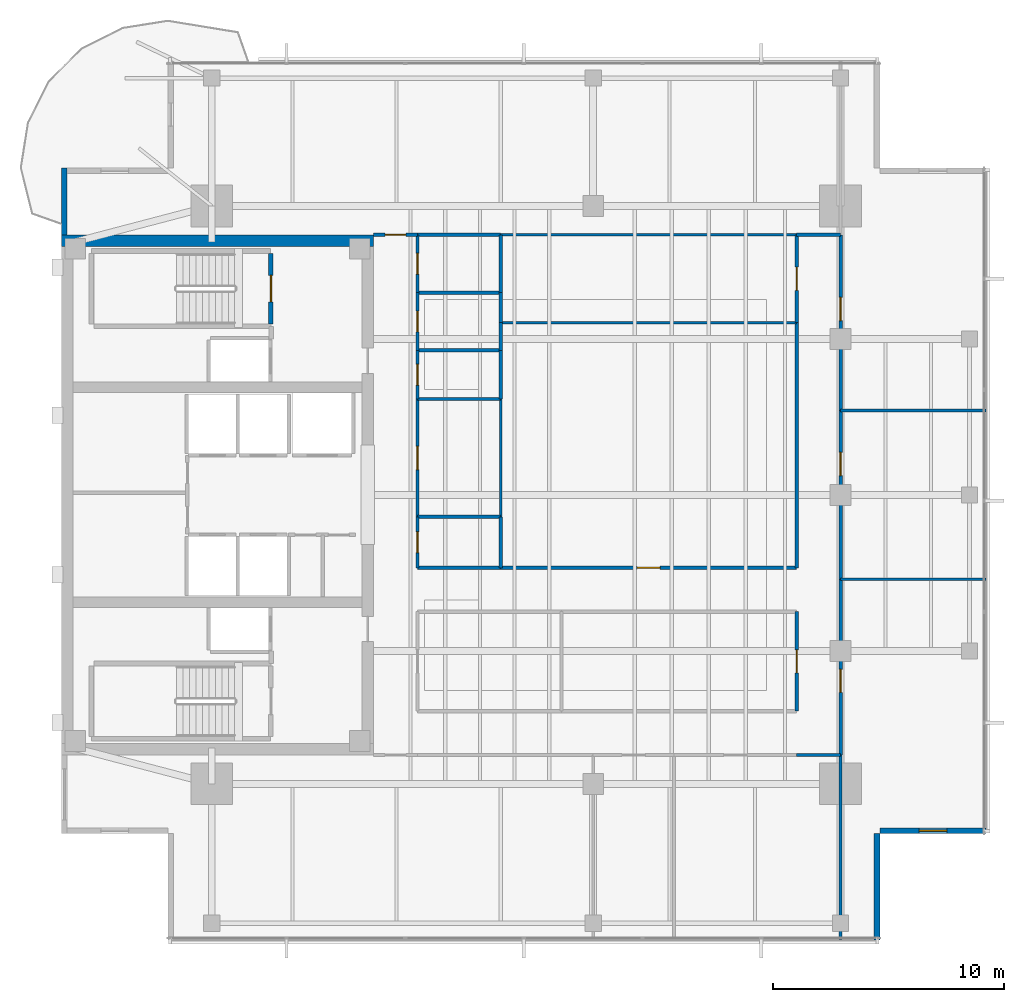
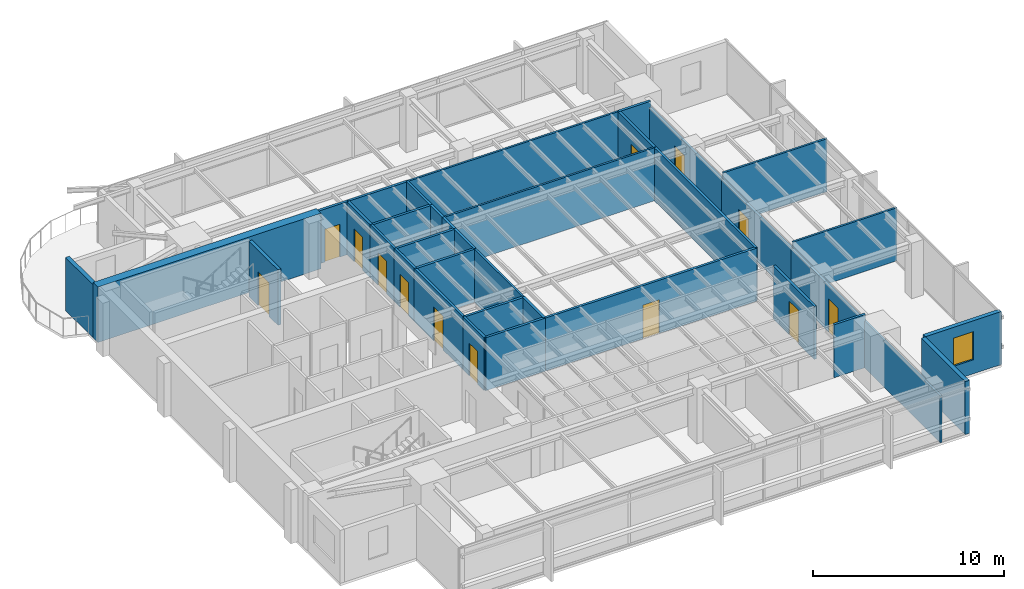
# One storey, part 9 of 14: 37 walls, 13 doors, 1 window, 14 openings.
"""IFC4 building model written with IfcOpenShell, lengths in metres."""

from ifc_helpers import new_model, si_unit, direction, frame, frame_2d, origin, place, context, subcontext, project, spatial, rectangle, extrude, material, layer, layer_set, type_object, element, fill, save


model = new_model("IFC4")

# Units and contexts
model_context = context("Model", 3, precision=1e-05, world=origin(), true_north=direction((0.0, 1.0)))
body_context = subcontext(model_context, "Body", "Model", "MODEL_VIEW")
ifc_project = project(units=[si_unit("LENGTHUNIT", "METRE"), si_unit("AREAUNIT", "SQUARE_METRE"), si_unit("VOLUMEUNIT", "CUBIC_METRE"), si_unit("PLANEANGLEUNIT", "RADIAN"), si_unit("MASSUNIT", "GRAM", prefix="KILO")], contexts=[model_context])

# Site, building, storey
site_placement = place(None, origin())
site = spatial("IfcSite", under=ifc_project, at=site_placement, CompositionType="ELEMENT")
building_placement = place(site_placement, origin())
building = spatial("IfcBuilding", under=site, at=building_placement, Name="Kinhvarn Gate Tower", CompositionType="ELEMENT")
storey_placement = place(building_placement, frame((0.0, 0.0, 270.550048828125)))
storey = spatial("IfcBuildingStorey", under=building, at=storey_placement, Name="L72", CompositionType="ELEMENT", Elevation=270.550048828125)

# Walls
ifc_material_1 = material(Name="Concrete C50/60", Category="concrete")
ifc_layer_1 = layer(ifc_material_1, 0.5)
ifc_layer_set_1 = layer_set([ifc_layer_1], Name="Concrete C50/60")
wall_type_1 = type_object("IfcWallType", Name="WL-CORE-500", PredefinedType="SHEAR", material=ifc_layer_set_1)
wall_1_placement = place(storey_placement, frame((4.5, 36.25, 0.0), z_axis=(0.0, 0.0, 1.0), x_axis=(1.0, 0.0, 0.0)))
element("IfcWall", 1, at=wall_1_placement, inside=storey, type_object=wall_type_1, Name="Core North Shear Wall L72 500 mm", PredefinedType="SHEAR", context=body_context, shape_type="SweptSolid", body=[
    extrude(rectangle(XDim=13.5, YDim=0.5, at=frame_2d((6.75, 0.0))), origin(), (0.0, 0.0, 1.0), 3.550048828125),
])
ifc_material_2 = material(Name="Fired architectural terracotta", Category="masonry")
ifc_layer_2 = layer(ifc_material_2, 0.25)
ifc_layer_set_2 = layer_set([ifc_layer_2], Name="Fired architectural terracotta")
wall_type_2 = type_object("IfcWallType", Name="WL-EXT-250", PredefinedType="SOLIDWALL", material=ifc_layer_set_2)
wall_2_placement = place(storey_placement, frame((4.625, 39.39990234375, 0.0), z_axis=(0.0, 0.0, 1.0), x_axis=(0.0, -1.0, 0.0)))
element("IfcWall", 2, at=wall_2_placement, inside=storey, type_object=wall_type_2, Name="Exterior Solidwall Wall EW-250 (L72 West-North)", PredefinedType="SOLIDWALL", context=body_context, shape_type="SweptSolid", body=[
    extrude(rectangle(XDim=2.89990234375, YDim=0.25, at=frame_2d((1.449951171875, 0.0))), origin(), (0.0, 0.0, 1.0), 3.389892578125),
])
wall_3_placement = place(storey_placement, frame((39.77490234375, 6.0, 0.0), z_axis=(0.0, 0.0, 1.0), x_axis=(0.0, 1.0, 0.0)))
element("IfcWall", 3, at=wall_3_placement, inside=storey, type_object=wall_type_2, Name="Exterior Solidwall Wall EW-250 (L72 SE-Notch-1)", PredefinedType="SOLIDWALL", context=body_context, shape_type="SweptSolid", body=[
    extrude(rectangle(XDim=4.60009765625, YDim=0.25, at=frame_2d((2.300048828125, 0.0))), origin(), (0.0, 0.0, 1.0), 3.389892578125),
])

# Wall, opening, window
wall_4_placement = place(storey_placement, frame((39.89990234375, 10.72509765625, 0.0), z_axis=(0.0, 0.0, 1.0), x_axis=(1.0, 0.0, 0.0)))
wall_4 = element("IfcWall", 4, at=wall_4_placement, inside=storey, type_object=wall_type_2, Name="Exterior Solidwall Wall EW-250 (L72 SE-Notch-2)", PredefinedType="SOLIDWALL", context=body_context, shape_type="SweptSolid", body=[
    extrude(rectangle(XDim=4.60009765625, YDim=0.25, at=frame_2d((2.300048828125, 0.0))), origin(), (0.0, 0.0, 1.0), 3.389892578125),
])
opening_1_placement = place(wall_4_placement, frame((1.699951171875, 0.0, 0.89990234375)))
opening_1 = element("IfcOpeningElement", 5, at=opening_1_placement, cuts=wall_4, Name="Opening WN-02", PredefinedType="OPENING", context=body_context, shape_type="SweptSolid", body=[
    extrude(rectangle(XDim=1.199951171875, YDim=1.800048828125, at=frame_2d((0.60009765625, 0.89990234375))), frame((0.0, 0.135009765625, 0.0), z_axis=(0.0, -1.0, 0.0), x_axis=(1.0, 0.0, 0.0)), (0.0, 0.0, 1.0), 0.27001953125),
])
ifc_material_3 = material(Name="Clear low-e double glazing", Category="glass")
window_type = type_object("IfcWindowType", Name="WIN-NTC-1200", PartitioningType="SINGLE_PANEL", PredefinedType="WINDOW", material=ifc_material_3)
window_placement = place(opening_1_placement, origin())
window = element("IfcWindow", 6, at=window_placement, inside=storey, type_object=window_type, Name="Recessed Corner Notch Punched Window 1200x1800 mm (L72)", OverallHeight=1.800048828125, OverallWidth=1.199951171875, PartitioningType="SINGLE_PANEL", PredefinedType="WINDOW", context=body_context, shape_type="SweptSolid", body=[
    extrude(rectangle(XDim=1.199951171875, YDim=1.800048828125, at=frame_2d((0.60009765625, 0.89990234375))), frame((0.0, 0.030029296875, 0.0), z_axis=(0.0, -1.0, 0.0), x_axis=(1.0, 0.0, 0.0)), (0.0, 0.0, 1.0), 0.06005859375),
])
fill(opening_1, window)

# Walls
ifc_material_4 = material(Name="Gypsum acoustic partition board")
ifc_layer_3 = layer(ifc_material_4, 0.14990234375)
ifc_layer_set_3 = layer_set([ifc_layer_3], Name="Gypsum acoustic partition board")
wall_type_3 = type_object("IfcWallType", Name="WL-PLM-150", PredefinedType="PLUMBINGWALL", material=ifc_layer_set_3)
wall_5_placement = place(storey_placement, frame((19.89990234375, 34.0, 0.0), z_axis=(0.0, 0.0, 1.0), x_axis=(1.0, 0.0, 0.0)))
element("IfcWall", 7, at=wall_5_placement, inside=storey, type_object=wall_type_3, Name="Interior Partition PLW-150 (L72)", PredefinedType="PLUMBINGWALL", context=body_context, shape_type="SweptSolid", body=[
    extrude(rectangle(XDim=3.60009765625, YDim=0.14990234375, at=frame_2d((1.800048828125, 0.0))), origin(), (0.0, 0.0, 1.0), 3.389892578125),
])
wall_6_placement = place(storey_placement, frame((23.5, 34.0, 0.0), z_axis=(0.0, 0.0, 1.0), x_axis=(0.0, 1.0, 0.0)))
element("IfcWall", 8, at=wall_6_placement, inside=storey, type_object=wall_type_3, Name="Interior Partition PLW-150 (L72)", PredefinedType="PLUMBINGWALL", context=body_context, shape_type="SweptSolid", body=[
    extrude(rectangle(XDim=2.5, YDim=0.14990234375, at=frame_2d((1.25, 0.0))), origin(), (0.0, 0.0, 1.0), 3.389892578125),
])
for number, where, z_axis, x_axis, name in (
    (9, (19.89990234375, 36.5, 0.0), (0.0, 0.0, 1.0), (1.0, 0.0, 0.0), "Interior Partition PLW-150 (L72)"),
    (10, (19.89990234375, 31.5, 0.0), (0.0, 0.0, 1.0), (1.0, 0.0, 0.0), "Interior Partition PLW-150 (L72)"),
):
    element("IfcWall", number, at=place(storey_placement, frame(where, z_axis=z_axis, x_axis=x_axis)), inside=storey, type_object=wall_type_3, Name=name, PredefinedType="PLUMBINGWALL", context=body_context, shape_type="SweptSolid", body=[
        extrude(rectangle(XDim=3.60009765625, YDim=0.14990234375, at=frame_2d((1.800048828125, 0.0))), origin(), (0.0, 0.0, 1.0), 3.389892578125),
    ])
wall_7_placement = place(storey_placement, frame((23.5, 32.699951171875, 0.0), z_axis=(0.0, 0.0, 1.0), x_axis=(0.0, 1.0, 0.0)))
element("IfcWall", 11, at=wall_7_placement, inside=storey, type_object=wall_type_3, Name="Interior Partition PLW-150 (L72)", PredefinedType="PLUMBINGWALL", context=body_context, shape_type="SweptSolid", body=[
    extrude(rectangle(XDim=1.300048828125, YDim=0.14990234375, at=frame_2d((0.64990234375, 0.0))), origin(), (0.0, 0.0, 1.0), 3.389892578125),
])
wall_8_placement = place(storey_placement, frame((23.5, 31.5, 0.0), z_axis=(0.0, 0.0, 1.0), x_axis=(0.0, 1.0, 0.0)))
element("IfcWall", 12, at=wall_8_placement, inside=storey, type_object=wall_type_3, Name="Interior Partition PLW-150 (L72)", PredefinedType="PLUMBINGWALL", context=body_context, shape_type="SweptSolid", body=[
    extrude(rectangle(XDim=1.199951171875, YDim=0.14990234375, at=frame_2d((0.60009765625, 0.0))), origin(), (0.0, 0.0, 1.0), 3.389892578125),
])
wall_9_placement = place(storey_placement, frame((19.89990234375, 29.39990234375, 0.0), z_axis=(0.0, 0.0, 1.0), x_axis=(1.0, 0.0, 0.0)))
element("IfcWall", 13, at=wall_9_placement, inside=storey, type_object=wall_type_3, Name="Interior Partition PLW-150 (L72)", PredefinedType="PLUMBINGWALL", context=body_context, shape_type="SweptSolid", body=[
    extrude(rectangle(XDim=3.60009765625, YDim=0.14990234375, at=frame_2d((1.800048828125, 0.0))), origin(), (0.0, 0.0, 1.0), 3.389892578125),
])
wall_10_placement = place(storey_placement, frame((23.5, 29.39990234375, 0.0), z_axis=(0.0, 0.0, 1.0), x_axis=(0.0, 1.0, 0.0)))
element("IfcWall", 14, at=wall_10_placement, inside=storey, type_object=wall_type_3, Name="Interior Partition PLW-150 (L72)", PredefinedType="PLUMBINGWALL", context=body_context, shape_type="SweptSolid", body=[
    extrude(rectangle(XDim=2.10009765625, YDim=0.14990234375, at=frame_2d((1.050048828125, 0.0))), origin(), (0.0, 0.0, 1.0), 3.389892578125),
])
wall_11_placement = place(storey_placement, frame((19.89990234375, 24.300048828125, 0.0), z_axis=(0.0, 0.0, 1.0), x_axis=(1.0, 0.0, 0.0)))
element("IfcWall", 15, at=wall_11_placement, inside=storey, type_object=wall_type_3, Name="Interior Partition PLW-150 (L72)", PredefinedType="PLUMBINGWALL", context=body_context, shape_type="SweptSolid", body=[
    extrude(rectangle(XDim=3.60009765625, YDim=0.14990234375, at=frame_2d((1.800048828125, 0.0))), origin(), (0.0, 0.0, 1.0), 3.389892578125),
])
wall_12_placement = place(storey_placement, frame((23.5, 22.10009765625, 0.0), z_axis=(0.0, 0.0, 1.0), x_axis=(0.0, 1.0, 0.0)))
element("IfcWall", 16, at=wall_12_placement, inside=storey, type_object=wall_type_3, Name="Interior Partition PLW-150 (L72)", PredefinedType="PLUMBINGWALL", context=body_context, shape_type="SweptSolid", body=[
    extrude(rectangle(XDim=2.199951171875, YDim=0.14990234375, at=frame_2d((1.10009765625, 0.0))), origin(), (0.0, 0.0, 1.0), 3.389892578125),
])

# Wall, opening, door
ifc_layer_4 = layer(ifc_material_4, 0.14990234375)
ifc_layer_set_4 = layer_set([ifc_layer_4], Name="Gypsum acoustic partition board")
wall_type_4 = type_object("IfcWallType", Name="WL-PLM-150F", PredefinedType="PLUMBINGWALL", material=ifc_layer_set_4)
wall_13_placement = place(storey_placement, frame((19.89990234375, 34.0, 0.0), z_axis=(0.0, 0.0, 1.0), x_axis=(0.0, 1.0, 0.0)))
wall_13 = element("IfcWall", 17, at=wall_13_placement, inside=storey, type_object=wall_type_4, Name="Interior Partition PLW-150F (L72)", PredefinedType="PLUMBINGWALL", context=body_context, shape_type="SweptSolid", body=[
    extrude(rectangle(XDim=2.5, YDim=0.14990234375, at=frame_2d((1.25, 0.0))), origin(), (0.0, 0.0, 1.0), 3.389892578125),
])
opening_2_placement = place(wall_13_placement, frame((0.800048828125, 0.0, 0.0)))
opening_2 = element("IfcOpeningElement", 18, at=opening_2_placement, cuts=wall_13, Name="Opening FD-04", PredefinedType="OPENING", context=body_context, shape_type="SweptSolid", body=[
    extrude(rectangle(XDim=0.89990234375, YDim=2.10009765625, at=frame_2d((0.449951171875, 1.050048828125))), frame((0.0, 0.0849609375, 0.0), z_axis=(0.0, -1.0, 0.0), x_axis=(1.0, 0.0, 0.0)), (0.0, 0.0, 1.0), 0.169921875),
])
ifc_material_5 = material(Name="Anodised aluminium AW-6063", Category="aluminium")
door_type_1 = type_object("IfcDoorType", Name="DR-FD-900", OperationType="NOTDEFINED", PredefinedType="DOOR", material=ifc_material_5)
door_1_placement = place(opening_2_placement, origin())
door_1 = element("IfcDoor", 19, at=door_1_placement, inside=storey, type_object=door_type_1, Name="Rated Riser & Service Closet Fire Door 900x2100 mm (L72)", OperationType="SINGLE_SWING_LEFT", OverallHeight=2.10009765625, OverallWidth=0.89990234375, PredefinedType="DOOR", context=body_context, shape_type="SweptSolid", body=[
    extrude(rectangle(XDim=0.89990234375, YDim=2.10009765625, at=frame_2d((0.449951171875, 1.050048828125))), frame((0.0, 0.02490234375, 0.0), z_axis=(0.0, -1.0, 0.0), x_axis=(1.0, 0.0, 0.0)), (0.0, 0.0, 1.0), 0.050048828125),
])
fill(opening_2, door_1)

wall_14_placement = place(storey_placement, frame((19.89990234375, 31.5, 0.0), z_axis=(0.0, 0.0, 1.0), x_axis=(0.0, 1.0, 0.0)))
wall_14 = element("IfcWall", 20, at=wall_14_placement, inside=storey, type_object=wall_type_4, Name="Interior Partition PLW-150F (L72)", PredefinedType="PLUMBINGWALL", context=body_context, shape_type="SweptSolid", body=[
    extrude(rectangle(XDim=2.5, YDim=0.14990234375, at=frame_2d((1.25, 0.0))), origin(), (0.0, 0.0, 1.0), 3.389892578125),
])
opening_3_placement = place(wall_14_placement, frame((0.800048828125, 0.0, 0.0)))
opening_3 = element("IfcOpeningElement", 21, at=opening_3_placement, cuts=wall_14, Name="Opening FD-04", PredefinedType="OPENING", context=body_context, shape_type="SweptSolid", body=[
    extrude(rectangle(XDim=0.89990234375, YDim=2.10009765625, at=frame_2d((0.449951171875, 1.050048828125))), frame((0.0, 0.0849609375, 0.0), z_axis=(0.0, -1.0, 0.0), x_axis=(1.0, 0.0, 0.0)), (0.0, 0.0, 1.0), 0.169921875),
])
door_2_placement = place(opening_3_placement, origin())
door_2 = element("IfcDoor", 22, at=door_2_placement, inside=storey, type_object=door_type_1, Name="Rated Riser & Service Closet Fire Door 900x2100 mm (L72)", OperationType="SINGLE_SWING_RIGHT", OverallHeight=2.10009765625, OverallWidth=0.89990234375, PredefinedType="DOOR", context=body_context, shape_type="SweptSolid", body=[
    extrude(rectangle(XDim=0.89990234375, YDim=2.10009765625, at=frame_2d((0.449951171875, 1.050048828125))), frame((0.0, 0.02490234375, 0.0), z_axis=(0.0, -1.0, 0.0), x_axis=(1.0, 0.0, 0.0)), (0.0, 0.0, 1.0), 0.050048828125),
])
fill(opening_3, door_2)

wall_15_placement = place(storey_placement, frame((19.89990234375, 29.39990234375, 0.0), z_axis=(0.0, 0.0, 1.0), x_axis=(0.0, 1.0, 0.0)))
wall_15 = element("IfcWall", 23, at=wall_15_placement, inside=storey, type_object=wall_type_4, Name="Interior Partition PLW-150F (L72)", PredefinedType="PLUMBINGWALL", context=body_context, shape_type="SweptSolid", body=[
    extrude(rectangle(XDim=2.10009765625, YDim=0.14990234375, at=frame_2d((1.050048828125, 0.0))), origin(), (0.0, 0.0, 1.0), 3.389892578125),
])
opening_4_placement = place(wall_15_placement, frame((0.60009765625, 0.0, 0.0)))
opening_4 = element("IfcOpeningElement", 24, at=opening_4_placement, cuts=wall_15, Name="Opening FD-04", PredefinedType="OPENING", context=body_context, shape_type="SweptSolid", body=[
    extrude(rectangle(XDim=0.89990234375, YDim=2.10009765625, at=frame_2d((0.449951171875, 1.050048828125))), frame((0.0, 0.0849609375, 0.0), z_axis=(0.0, -1.0, 0.0), x_axis=(1.0, 0.0, 0.0)), (0.0, 0.0, 1.0), 0.169921875),
])
door_3_placement = place(opening_4_placement, origin())
door_3 = element("IfcDoor", 25, at=door_3_placement, inside=storey, type_object=door_type_1, Name="Rated Riser & Service Closet Fire Door 900x2100 mm (L72)", OperationType="SINGLE_SWING_LEFT", OverallHeight=2.10009765625, OverallWidth=0.89990234375, PredefinedType="DOOR", context=body_context, shape_type="SweptSolid", body=[
    extrude(rectangle(XDim=0.89990234375, YDim=2.10009765625, at=frame_2d((0.449951171875, 1.050048828125))), frame((0.0, 0.02490234375, 0.0), z_axis=(0.0, -1.0, 0.0), x_axis=(1.0, 0.0, 0.0)), (0.0, 0.0, 1.0), 0.050048828125),
])
fill(opening_4, door_3)

wall_16_placement = place(storey_placement, frame((19.89990234375, 22.10009765625, 0.0), z_axis=(0.0, 0.0, 1.0), x_axis=(0.0, 1.0, 0.0)))
wall_16 = element("IfcWall", 26, at=wall_16_placement, inside=storey, type_object=wall_type_4, Name="Interior Partition PLW-150F (L72)", PredefinedType="PLUMBINGWALL", context=body_context, shape_type="SweptSolid", body=[
    extrude(rectangle(XDim=2.199951171875, YDim=0.14990234375, at=frame_2d((1.10009765625, 0.0))), origin(), (0.0, 0.0, 1.0), 3.389892578125),
])
opening_5_placement = place(wall_16_placement, frame((0.64990234375, 0.0, 0.0)))
opening_5 = element("IfcOpeningElement", 27, at=opening_5_placement, cuts=wall_16, Name="Opening FD-04", PredefinedType="OPENING", context=body_context, shape_type="SweptSolid", body=[
    extrude(rectangle(XDim=0.89990234375, YDim=2.10009765625, at=frame_2d((0.449951171875, 1.050048828125))), frame((0.0, 0.0849609375, 0.0), z_axis=(0.0, -1.0, 0.0), x_axis=(1.0, 0.0, 0.0)), (0.0, 0.0, 1.0), 0.169921875),
])
door_4_placement = place(opening_5_placement, origin())
door_4 = element("IfcDoor", 28, at=door_4_placement, inside=storey, type_object=door_type_1, Name="Rated Riser & Service Closet Fire Door 900x2100 mm (L72)", OperationType="SINGLE_SWING_RIGHT", OverallHeight=2.10009765625, OverallWidth=0.89990234375, PredefinedType="DOOR", context=body_context, shape_type="SweptSolid", body=[
    extrude(rectangle(XDim=0.89990234375, YDim=2.10009765625, at=frame_2d((0.449951171875, 1.050048828125))), frame((0.0, 0.02490234375, 0.0), z_axis=(0.0, -1.0, 0.0), x_axis=(1.0, 0.0, 0.0)), (0.0, 0.0, 1.0), 0.050048828125),
])
fill(opening_5, door_4)

# Walls
wall_17_placement = place(storey_placement, frame((19.89990234375, 22.10009765625, 0.0), z_axis=(0.0, 0.0, 1.0), x_axis=(1.0, 0.0, 0.0)))
element("IfcWall", 29, at=wall_17_placement, inside=storey, type_object=wall_type_4, Name="Interior Partition PLW-150F (L72)", PredefinedType="PLUMBINGWALL", context=body_context, shape_type="SweptSolid", body=[
    extrude(rectangle(XDim=3.60009765625, YDim=0.14990234375, at=frame_2d((1.800048828125, 0.0))), origin(), (0.0, 0.0, 1.0), 3.389892578125),
])
ifc_layer_5 = layer(ifc_material_4, 0.1201171875)
ifc_layer_set_5 = layer_set([ifc_layer_5], Name="Gypsum acoustic partition board")
wall_type_5 = type_object("IfcWallType", Name="WL-PRT-120", PredefinedType="PARTITIONING", material=ifc_layer_set_5)
wall_18_placement = place(storey_placement, frame((23.5, 24.300048828125, 0.0), z_axis=(0.0, 0.0, 1.0), x_axis=(0.0, 1.0, 0.0)))
element("IfcWall", 30, at=wall_18_placement, inside=storey, type_object=wall_type_5, Name="Interior Partition PW-120 (L72)", PredefinedType="PARTITIONING", context=body_context, shape_type="SweptSolid", body=[
    extrude(rectangle(XDim=5.099853515625, YDim=0.1201171875, at=frame_2d((2.5498046875, 0.0))), origin(), (0.0, 0.0, 1.0), 3.389892578125),
])
for number, where, z_axis, x_axis, name in (
    (31, (23.5, 32.699951171875, 0.0), (0.0, 0.0, 1.0), (1.0, 0.0, 0.0), "Interior Partition PW-120 (L72)"),
    (32, (23.5, 36.5, 0.0), (0.0, 0.0, 1.0), (1.0, 0.0, 0.0), "Interior Partition PW-120 (L72)"),
):
    element("IfcWall", number, at=place(storey_placement, frame(where, z_axis=z_axis, x_axis=x_axis)), inside=storey, type_object=wall_type_5, Name=name, PredefinedType="PARTITIONING", context=body_context, shape_type="SweptSolid", body=[
        extrude(rectangle(XDim=12.800048828125, YDim=0.1201171875, at=frame_2d((6.39990234375, 0.0))), origin(), (0.0, 0.0, 1.0), 3.389892578125),
    ])
wall_19_placement = place(storey_placement, frame((38.199951171875, 6.010009765625, 0.0), z_axis=(0.0, 0.0, 1.0), x_axis=(0.0, 1.0, 0.0)))
element("IfcWall", 33, at=wall_19_placement, inside=storey, type_object=wall_type_5, Name="Interior Partition PW-120 (L72)", PredefinedType="PARTITIONING", context=body_context, shape_type="SweptSolid", body=[
    extrude(rectangle(XDim=7.989990234375, YDim=0.1201171875, at=frame_2d((3.9951171875, 0.0))), origin(), (0.0, 0.0, 1.0), 2.989990234375),
])
for number, where, z_axis, x_axis, name in (
    (34, (38.199951171875, 21.60009765625, 0.0), (0.0, 0.0, 1.0), (1.0, 0.0, 0.0), "Interior Partition PW-120 (L72)"),
    (35, (38.199951171875, 28.89990234375, 0.0), (0.0, 0.0, 1.0), (1.0, 0.0, 0.0), "Interior Partition PW-120 (L72)"),
):
    element("IfcWall", number, at=place(storey_placement, frame(where, z_axis=z_axis, x_axis=x_axis)), inside=storey, type_object=wall_type_5, Name=name, PredefinedType="PARTITIONING", context=body_context, shape_type="SweptSolid", body=[
        extrude(rectangle(XDim=6.2900390625, YDim=0.1201171875, at=frame_2d((3.14501953125, 0.0))), origin(), (0.0, 0.0, 1.0), 3.389892578125),
    ])

# Wall, opening, door
ifc_layer_6 = layer(ifc_material_4, 0.14990234375)
ifc_layer_set_6 = layer_set([ifc_layer_6], Name="Gypsum acoustic partition board")
wall_type_6 = type_object("IfcWallType", Name="WL-PRT-150F", PredefinedType="PARTITIONING", material=ifc_layer_set_6)
wall_20_placement = place(storey_placement, frame((19.89990234375, 24.300048828125, 0.0), z_axis=(0.0, 0.0, 1.0), x_axis=(0.0, 1.0, 0.0)))
wall_20 = element("IfcWall", 36, at=wall_20_placement, inside=storey, type_object=wall_type_6, Name="Interior Partition PW-150F (L72)", PredefinedType="PARTITIONING", context=body_context, shape_type="SweptSolid", body=[
    extrude(rectangle(XDim=5.099853515625, YDim=0.14990234375, at=frame_2d((2.5498046875, 0.0))), origin(), (0.0, 0.0, 1.0), 3.389892578125),
])
opening_6_placement = place(wall_20_placement, frame((2.050048828125, 0.0, 0.0)))
opening_6 = element("IfcOpeningElement", 37, at=opening_6_placement, cuts=wall_20, Name="Opening ID-02", PredefinedType="OPENING", context=body_context, shape_type="SweptSolid", body=[
    extrude(rectangle(XDim=1.0, YDim=2.14990234375, at=frame_2d((0.5, 1.074951171875))), frame((0.0, 0.0849609375, 0.0), z_axis=(0.0, -1.0, 0.0), x_axis=(1.0, 0.0, 0.0)), (0.0, 0.0, 1.0), 0.169921875),
])
door_type_2 = type_object("IfcDoorType", Name="DR-INT-1000", OperationType="NOTDEFINED", PredefinedType="DOOR", material=ifc_material_5)
door_5_placement = place(opening_6_placement, origin())
door_5 = element("IfcDoor", 38, at=door_5_placement, inside=storey, type_object=door_type_2, Name="Standard Office & Meeting Room Door 1000x2150 mm (L72)", OperationType="SINGLE_SWING_LEFT", OverallHeight=2.14990234375, OverallWidth=1.0, PredefinedType="DOOR", context=body_context, shape_type="SweptSolid", body=[
    extrude(rectangle(XDim=1.0, YDim=2.14990234375, at=frame_2d((0.5, 1.074951171875))), frame((0.0, 0.02490234375, 0.0), z_axis=(0.0, -1.0, 0.0), x_axis=(1.0, 0.0, 0.0)), (0.0, 0.0, 1.0), 0.050048828125),
])
fill(opening_6, door_5)

wall_21_placement = place(storey_placement, frame((18.0, 36.5, 0.0), z_axis=(0.0, 0.0, 1.0), x_axis=(1.0, 0.0, 0.0)))
wall_21 = element("IfcWall", 39, at=wall_21_placement, inside=storey, type_object=wall_type_6, Name="Interior Partition PW-150F (L72)", PredefinedType="PARTITIONING", context=body_context, shape_type="SweptSolid", body=[
    extrude(rectangle(XDim=1.89990234375, YDim=0.14990234375, at=frame_2d((0.949951171875, 0.0))), origin(), (0.0, 0.0, 1.0), 3.389892578125),
])
opening_7_placement = place(wall_21_placement, frame((0.5, 0.0, 0.0)))
opening_7 = element("IfcOpeningElement", 40, at=opening_7_placement, cuts=wall_21, Name="Opening ID-03", PredefinedType="OPENING", context=body_context, shape_type="SweptSolid", body=[
    extrude(rectangle(XDim=0.89990234375, YDim=2.10009765625, at=frame_2d((0.449951171875, 1.050048828125))), frame((0.0, 0.0849609375, 0.0), z_axis=(0.0, -1.0, 0.0), x_axis=(1.0, 0.0, 0.0)), (0.0, 0.0, 1.0), 0.169921875),
])
door_type_3 = type_object("IfcDoorType", Name="DR-INT-900", OperationType="NOTDEFINED", PredefinedType="DOOR", material=ifc_material_5)
door_6_placement = place(opening_7_placement, origin())
door_6 = element("IfcDoor", 41, at=door_6_placement, inside=storey, type_object=door_type_3, Name="Cellular Office & Restroom Door 900x2100 mm (L72)", OperationType="SINGLE_SWING_LEFT", OverallHeight=2.10009765625, OverallWidth=0.89990234375, PredefinedType="DOOR", context=body_context, shape_type="SweptSolid", body=[
    extrude(rectangle(XDim=0.89990234375, YDim=2.10009765625, at=frame_2d((0.449951171875, 1.050048828125))), frame((0.0, 0.02490234375, 0.0), z_axis=(0.0, -1.0, 0.0), x_axis=(1.0, 0.0, 0.0)), (0.0, 0.0, 1.0), 0.050048828125),
])
fill(opening_7, door_6)

wall_22_placement = place(storey_placement, frame((23.5, 22.10009765625, 0.0), z_axis=(0.0, 0.0, 1.0), x_axis=(1.0, 0.0, 0.0)))
wall_22 = element("IfcWall", 42, at=wall_22_placement, inside=storey, type_object=wall_type_6, Name="Interior Partition PW-150F (L72)", PredefinedType="PARTITIONING", context=body_context, shape_type="SweptSolid", body=[
    extrude(rectangle(XDim=12.800048828125, YDim=0.14990234375, at=frame_2d((6.39990234375, 0.0))), origin(), (0.0, 0.0, 1.0), 3.389892578125),
])
opening_8_placement = place(wall_22_placement, frame((5.89990234375, 0.0, 0.0)))
opening_8 = element("IfcOpeningElement", 43, at=opening_8_placement, cuts=wall_22, Name="Opening ID-02", PredefinedType="OPENING", context=body_context, shape_type="SweptSolid", body=[
    extrude(rectangle(XDim=1.0, YDim=2.14990234375, at=frame_2d((0.5, 1.074951171875))), frame((0.0, 0.0849609375, 0.0), z_axis=(0.0, -1.0, 0.0), x_axis=(1.0, 0.0, 0.0)), (0.0, 0.0, 1.0), 0.169921875),
])
door_7_placement = place(opening_8_placement, origin())
door_7 = element("IfcDoor", 44, at=door_7_placement, inside=storey, type_object=door_type_2, Name="Standard Office & Meeting Room Door 1000x2150 mm (L72)", OperationType="SINGLE_SWING_RIGHT", OverallHeight=2.14990234375, OverallWidth=1.0, PredefinedType="DOOR", context=body_context, shape_type="SweptSolid", body=[
    extrude(rectangle(XDim=1.0, YDim=2.14990234375, at=frame_2d((0.5, 1.074951171875))), frame((0.0, 0.02490234375, 0.0), z_axis=(0.0, -1.0, 0.0), x_axis=(1.0, 0.0, 0.0)), (0.0, 0.0, 1.0), 0.050048828125),
])
fill(opening_8, door_7)

wall_23_placement = place(storey_placement, frame((36.300048828125, 15.89990234375, 0.0), z_axis=(0.0, 0.0, 1.0), x_axis=(0.0, 1.0, 0.0)))
wall_23 = element("IfcWall", 45, at=wall_23_placement, inside=storey, type_object=wall_type_6, Name="Interior Partition PW-150F (L72)", PredefinedType="PARTITIONING", context=body_context, shape_type="SweptSolid", body=[
    extrude(rectangle(XDim=4.300048828125, YDim=0.14990234375, at=frame_2d((2.14990234375, 0.0))), origin(), (0.0, 0.0, 1.0), 3.389892578125),
])
opening_9_placement = place(wall_23_placement, frame((1.64990234375, 0.0, 0.0)))
opening_9 = element("IfcOpeningElement", 46, at=opening_9_placement, cuts=wall_23, Name="Opening ID-02", PredefinedType="OPENING", context=body_context, shape_type="SweptSolid", body=[
    extrude(rectangle(XDim=1.0, YDim=2.14990234375, at=frame_2d((0.5, 1.074951171875))), frame((0.0, 0.0849609375, 0.0), z_axis=(0.0, -1.0, 0.0), x_axis=(1.0, 0.0, 0.0)), (0.0, 0.0, 1.0), 0.169921875),
])
door_8_placement = place(opening_9_placement, origin())
door_8 = element("IfcDoor", 47, at=door_8_placement, inside=storey, type_object=door_type_2, Name="Standard Office & Meeting Room Door 1000x2150 mm (L72)", OperationType="SINGLE_SWING_LEFT", OverallHeight=2.14990234375, OverallWidth=1.0, PredefinedType="DOOR", context=body_context, shape_type="SweptSolid", body=[
    extrude(rectangle(XDim=1.0, YDim=2.14990234375, at=frame_2d((0.5, 1.074951171875))), frame((0.0, 0.02490234375, 0.0), z_axis=(0.0, -1.0, 0.0), x_axis=(1.0, 0.0, 0.0)), (0.0, 0.0, 1.0), 0.050048828125),
])
fill(opening_9, door_8)

wall_24_placement = place(storey_placement, frame((36.300048828125, 32.699951171875, 0.0), z_axis=(0.0, 0.0, 1.0), x_axis=(0.0, 1.0, 0.0)))
wall_24 = element("IfcWall", 48, at=wall_24_placement, inside=storey, type_object=wall_type_6, Name="Interior Partition PW-150F (L72)", PredefinedType="PARTITIONING", context=body_context, shape_type="SweptSolid", body=[
    extrude(rectangle(XDim=3.800048828125, YDim=0.14990234375, at=frame_2d((1.89990234375, 0.0))), origin(), (0.0, 0.0, 1.0), 3.389892578125),
])
opening_10_placement = place(wall_24_placement, frame((1.39990234375, 0.0, 0.0)))
opening_10 = element("IfcOpeningElement", 49, at=opening_10_placement, cuts=wall_24, Name="Opening ID-02", PredefinedType="OPENING", context=body_context, shape_type="SweptSolid", body=[
    extrude(rectangle(XDim=1.0, YDim=2.14990234375, at=frame_2d((0.5, 1.074951171875))), frame((0.0, 0.0849609375, 0.0), z_axis=(0.0, -1.0, 0.0), x_axis=(1.0, 0.0, 0.0)), (0.0, 0.0, 1.0), 0.169921875),
])
door_9_placement = place(opening_10_placement, origin())
door_9 = element("IfcDoor", 50, at=door_9_placement, inside=storey, type_object=door_type_2, Name="Standard Office & Meeting Room Door 1000x2150 mm (L72)", OperationType="SINGLE_SWING_RIGHT", OverallHeight=2.14990234375, OverallWidth=1.0, PredefinedType="DOOR", context=body_context, shape_type="SweptSolid", body=[
    extrude(rectangle(XDim=1.0, YDim=2.14990234375, at=frame_2d((0.5, 1.074951171875))), frame((0.0, 0.02490234375, 0.0), z_axis=(0.0, -1.0, 0.0), x_axis=(1.0, 0.0, 0.0)), (0.0, 0.0, 1.0), 0.050048828125),
])
fill(opening_10, door_9)

# Walls
wall_25_placement = place(storey_placement, frame((36.300048828125, 22.10009765625, 0.0), z_axis=(0.0, 0.0, 1.0), x_axis=(0.0, 1.0, 0.0)))
element("IfcWall", 51, at=wall_25_placement, inside=storey, type_object=wall_type_6, Name="Interior Partition PW-150F (L72)", PredefinedType="PARTITIONING", context=body_context, shape_type="SweptSolid", body=[
    extrude(rectangle(XDim=10.599853515625, YDim=0.14990234375, at=frame_2d((5.2998046875, 0.0))), origin(), (0.0, 0.0, 1.0), 3.389892578125),
])
for number, where, z_axis, x_axis, name in (
    (52, (36.300048828125, 14.0, 0.0), (0.0, 0.0, 1.0), (1.0, 0.0, 0.0), "Interior Partition PW-150F (L72)"),
    (53, (36.300048828125, 36.5, 0.0), (0.0, 0.0, 1.0), (1.0, 0.0, 0.0), "Interior Partition PW-150F (L72)"),
):
    element("IfcWall", number, at=place(storey_placement, frame(where, z_axis=z_axis, x_axis=x_axis)), inside=storey, type_object=wall_type_6, Name=name, PredefinedType="PARTITIONING", context=body_context, shape_type="SweptSolid", body=[
        extrude(rectangle(XDim=1.89990234375, YDim=0.14990234375, at=frame_2d((0.949951171875, 0.0))), origin(), (0.0, 0.0, 1.0), 3.389892578125),
    ])

# Wall, opening, door
wall_26_placement = place(storey_placement, frame((38.199951171875, 14.0, 0.0), z_axis=(0.0, 0.0, 1.0), x_axis=(0.0, 1.0, 0.0)))
wall_26 = element("IfcWall", 54, at=wall_26_placement, inside=storey, type_object=wall_type_6, Name="Interior Partition PW-150F (L72)", PredefinedType="PARTITIONING", context=body_context, shape_type="SweptSolid", body=[
    extrude(rectangle(XDim=7.60009765625, YDim=0.14990234375, at=frame_2d((3.800048828125, 0.0))), origin(), (0.0, 0.0, 1.0), 2.989990234375),
])
opening_11_placement = place(wall_26_placement, frame((2.7060546875, 0.0, 0.0)))
opening_11 = element("IfcOpeningElement", 55, at=opening_11_placement, cuts=wall_26, Name="Opening ID-02", PredefinedType="OPENING", context=body_context, shape_type="SweptSolid", body=[
    extrude(rectangle(XDim=1.0, YDim=2.14990234375, at=frame_2d((0.5, 1.074951171875))), frame((0.0, 0.0849609375, 0.0), z_axis=(0.0, -1.0, 0.0), x_axis=(1.0, 0.0, 0.0)), (0.0, 0.0, 1.0), 0.169921875),
])
door_10_placement = place(opening_11_placement, origin())
door_10 = element("IfcDoor", 56, at=door_10_placement, inside=storey, type_object=door_type_2, Name="Standard Office & Meeting Room Door 1000x2150 mm (L72)", OperationType="SINGLE_SWING_LEFT", OverallHeight=2.14990234375, OverallWidth=1.0, PredefinedType="DOOR", context=body_context, shape_type="SweptSolid", body=[
    extrude(rectangle(XDim=1.0, YDim=2.14990234375, at=frame_2d((0.5, 1.074951171875))), frame((0.0, 0.02490234375, 0.0), z_axis=(0.0, -1.0, 0.0), x_axis=(1.0, 0.0, 0.0)), (0.0, 0.0, 1.0), 0.050048828125),
])
fill(opening_11, door_10)

wall_27_placement = place(storey_placement, frame((38.199951171875, 21.60009765625, 0.0), z_axis=(0.0, 0.0, 1.0), x_axis=(0.0, 1.0, 0.0)))
wall_27 = element("IfcWall", 57, at=wall_27_placement, inside=storey, type_object=wall_type_6, Name="Interior Partition PW-150F (L72)", PredefinedType="PARTITIONING", context=body_context, shape_type="SweptSolid", body=[
    extrude(rectangle(XDim=7.2998046875, YDim=0.14990234375, at=frame_2d((3.64990234375, 0.0))), origin(), (0.0, 0.0, 1.0), 2.989990234375),
])
opening_12_placement = place(wall_27_placement, frame((4.486083984375, 0.0, 0.0)))
opening_12 = element("IfcOpeningElement", 58, at=opening_12_placement, cuts=wall_27, Name="Opening ID-02", PredefinedType="OPENING", context=body_context, shape_type="SweptSolid", body=[
    extrude(rectangle(XDim=1.0, YDim=2.14990234375, at=frame_2d((0.5, 1.074951171875))), frame((0.0, 0.0849609375, 0.0), z_axis=(0.0, -1.0, 0.0), x_axis=(1.0, 0.0, 0.0)), (0.0, 0.0, 1.0), 0.169921875),
])
door_11_placement = place(opening_12_placement, origin())
door_11 = element("IfcDoor", 59, at=door_11_placement, inside=storey, type_object=door_type_2, Name="Standard Office & Meeting Room Door 1000x2150 mm (L72)", OperationType="SINGLE_SWING_RIGHT", OverallHeight=2.14990234375, OverallWidth=1.0, PredefinedType="DOOR", context=body_context, shape_type="SweptSolid", body=[
    extrude(rectangle(XDim=1.0, YDim=2.14990234375, at=frame_2d((0.5, 1.074951171875))), frame((0.0, 0.02490234375, 0.0), z_axis=(0.0, -1.0, 0.0), x_axis=(1.0, 0.0, 0.0)), (0.0, 0.0, 1.0), 0.050048828125),
])
fill(opening_12, door_11)

wall_28_placement = place(storey_placement, frame((38.199951171875, 28.89990234375, 0.0), z_axis=(0.0, 0.0, 1.0), x_axis=(0.0, 1.0, 0.0)))
wall_28 = element("IfcWall", 60, at=wall_28_placement, inside=storey, type_object=wall_type_6, Name="Interior Partition PW-150F (L72)", PredefinedType="PARTITIONING", context=body_context, shape_type="SweptSolid", body=[
    extrude(rectangle(XDim=7.60009765625, YDim=0.14990234375, at=frame_2d((3.800048828125, 0.0))), origin(), (0.0, 0.0, 1.0), 2.989990234375),
])
opening_13_placement = place(wall_28_placement, frame((3.89404296875, 0.0, 0.0)))
opening_13 = element("IfcOpeningElement", 61, at=opening_13_placement, cuts=wall_28, Name="Opening ID-02", PredefinedType="OPENING", context=body_context, shape_type="SweptSolid", body=[
    extrude(rectangle(XDim=1.0, YDim=2.14990234375, at=frame_2d((0.5, 1.074951171875))), frame((0.0, 0.0849609375, 0.0), z_axis=(0.0, -1.0, 0.0), x_axis=(1.0, 0.0, 0.0)), (0.0, 0.0, 1.0), 0.169921875),
])
door_12_placement = place(opening_13_placement, origin())
door_12 = element("IfcDoor", 62, at=door_12_placement, inside=storey, type_object=door_type_2, Name="Standard Office & Meeting Room Door 1000x2150 mm (L72)", OperationType="SINGLE_SWING_LEFT", OverallHeight=2.14990234375, OverallWidth=1.0, PredefinedType="DOOR", context=body_context, shape_type="SweptSolid", body=[
    extrude(rectangle(XDim=1.0, YDim=2.14990234375, at=frame_2d((0.5, 1.074951171875))), frame((0.0, 0.02490234375, 0.0), z_axis=(0.0, -1.0, 0.0), x_axis=(1.0, 0.0, 0.0)), (0.0, 0.0, 1.0), 0.050048828125),
])
fill(opening_13, door_12)

ifc_material_6 = material(Name="Concrete C40/50", Category="concrete")
ifc_layer_7 = layer(ifc_material_6, 0.199951171875)
ifc_layer_set_7 = layer_set([ifc_layer_7], Name="Concrete C40/50")
wall_type_7 = type_object("IfcWallType", Name="WL-SHF-200", PredefinedType="SOLIDWALL", material=ifc_layer_set_7)
wall_29_placement = place(storey_placement, frame((13.56005859375, 32.64990234375, 0.0), z_axis=(0.0, 0.0, 1.0), x_axis=(0.0, 1.0, 0.0)))
wall_29 = element("IfcWall", 63, at=wall_29_placement, inside=storey, type_object=wall_type_7, Name="Stair ST2 East Entry Wall (L72)", PredefinedType="SOLIDWALL", context=body_context, shape_type="SweptSolid", body=[
    extrude(rectangle(XDim=3.050048828125, YDim=0.199951171875, at=frame_2d((1.52490234375, 0.0))), origin(), (0.0, 0.0, 1.0), 3.550048828125),
])
opening_14_placement = place(wall_29_placement, frame((0.949951171875, 0.0, 0.0)))
opening_14 = element("IfcOpeningElement", 64, at=opening_14_placement, cuts=wall_29, Name="Opening FD-01", PredefinedType="OPENING", context=body_context, shape_type="SweptSolid", body=[
    extrude(rectangle(XDim=1.14990234375, YDim=2.14990234375, at=frame_2d((0.574951171875, 1.074951171875))), frame((0.0, 0.10986328125, 0.0), z_axis=(0.0, -1.0, 0.0), x_axis=(1.0, 0.0, 0.0)), (0.0, 0.0, 1.0), 0.219970703125),
])
door_type_4 = type_object("IfcDoorType", Name="DR-ST-1150", OperationType="NOTDEFINED", PredefinedType="DOOR", material=ifc_material_5)
door_13_placement = place(opening_14_placement, origin())
door_13 = element("IfcDoor", 65, at=door_13_placement, inside=storey, type_object=door_type_4, Name="Exit Stair ST2 Fire Door (L72)", OperationType="SINGLE_SWING_LEFT", OverallHeight=2.14990234375, OverallWidth=1.14990234375, PredefinedType="DOOR", context=body_context, shape_type="SweptSolid", body=[
    extrude(rectangle(XDim=1.14990234375, YDim=2.14990234375, at=frame_2d((0.574951171875, 1.074951171875))), frame((0.0, 0.02490234375, 0.0), z_axis=(0.0, -1.0, 0.0), x_axis=(1.0, 0.0, 0.0)), (0.0, 0.0, 1.0), 0.050048828125),
])
fill(opening_14, door_13)

save(model, "model.ifc")
